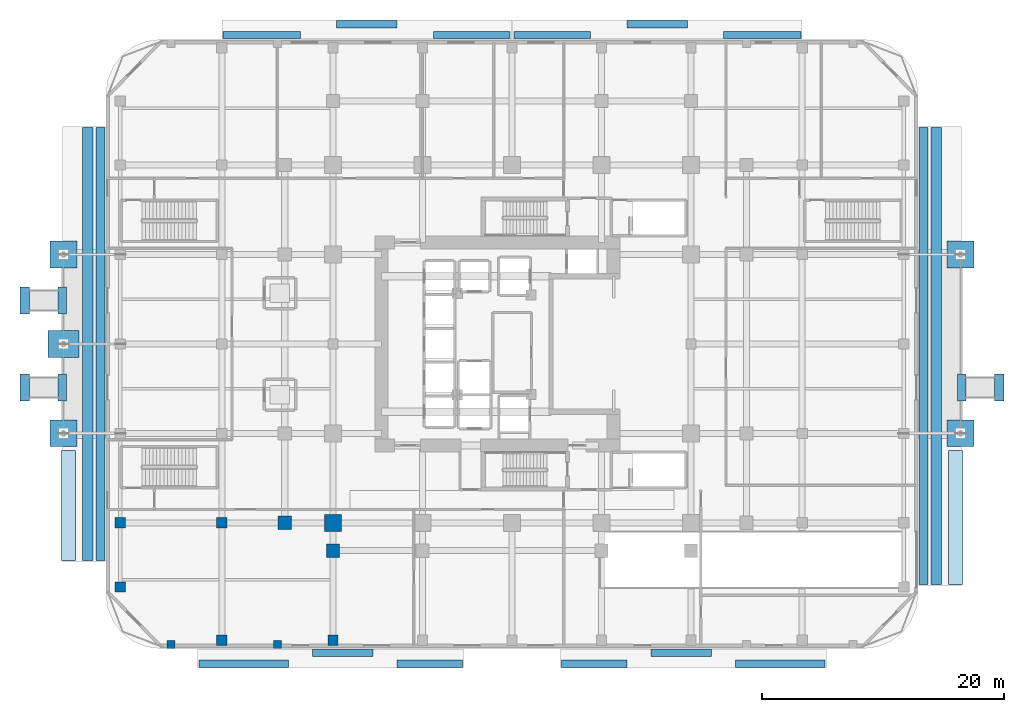
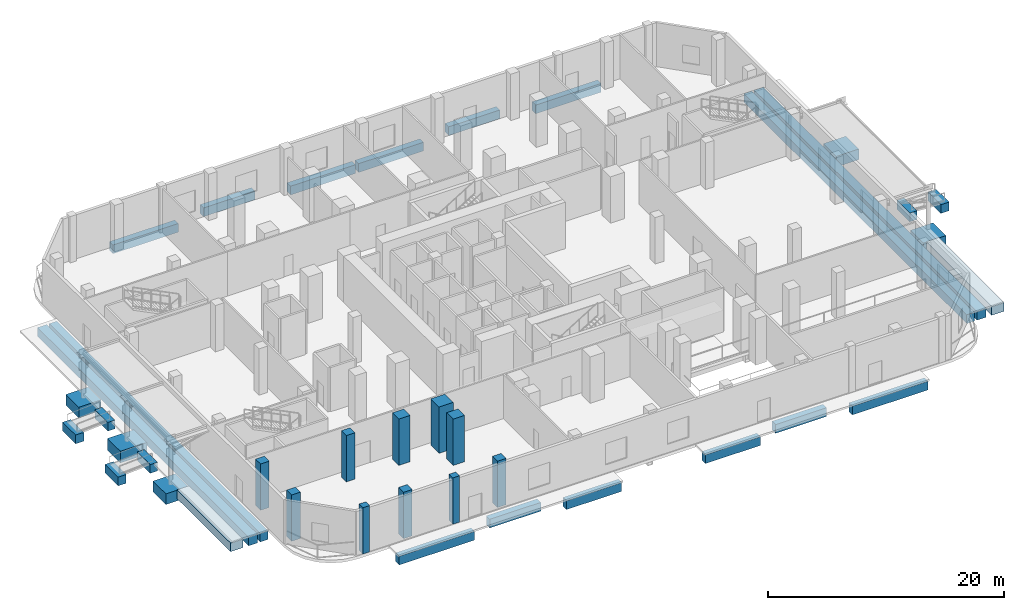
# One storey, part 1 of 24: 29 footings, 10 columns.
"""IFC4 building model written with IfcOpenShell, lengths in metres."""

from ifc_helpers import new_model, si_unit, direction, frame, origin, origin_2d, place, context, subcontext, project, spatial, polyline, rectangle, outline, extrude, material, layer, layer_set, material_profile, profile_set, type_object, element, save


model = new_model("IFC4")

# Units and contexts
model_context = context("Model", 3, precision=1e-05, world=origin(), true_north=direction((0.0, 1.0)))
body_context = subcontext(model_context, "Body", "Model", "MODEL_VIEW")
ifc_project = project(units=[si_unit("LENGTHUNIT", "METRE"), si_unit("AREAUNIT", "SQUARE_METRE"), si_unit("VOLUMEUNIT", "CUBIC_METRE"), si_unit("PLANEANGLEUNIT", "RADIAN"), si_unit("MASSUNIT", "GRAM", prefix="KILO")], contexts=[model_context])

# Site, building, storey
site_placement = place(None, origin())
site = spatial("IfcSite", under=ifc_project, at=site_placement, CompositionType="ELEMENT")
building_placement = place(site_placement, origin())
building = spatial("IfcBuilding", under=site, at=building_placement, Name="Khorvyn Point Tower", CompositionType="ELEMENT")
storey_placement = place(building_placement, origin())
storey = spatial("IfcBuildingStorey", under=building, at=storey_placement, Name="L01", CompositionType="ELEMENT", Elevation=0.0)

# Footings
ifc_material_1 = material(Name="Concrete C35/45", Category="concrete")
ifc_layer_1 = layer(ifc_material_1, 1.10009765625)
ifc_layer_set_1 = layer_set([ifc_layer_1], Name="Concrete C35/45 Canopy Pad Footing 2200x2200x1100")
footing_type_1 = type_object("IfcFootingType", Name="Concrete C35/45 Canopy Pad Footing 2200x2200x1100", PredefinedType="PAD_FOOTING", material=ifc_layer_set_1)
for number, where, z_axis, x_axis, name in (
    (1, (-37.10009765625, -7.39990234375, -1.60009765625), (0.0, 0.0, 1.0), (1.0, 0.0, 0.0), "L01 Entrance Canopy Pad Footing FT-PAD-W1"),
    (2, (-37.10009765625, 7.39990234375, -1.60009765625), (0.0, 0.0, 1.0), (1.0, 0.0, 0.0), "L01 Entrance Canopy Pad Footing FT-PAD-W3"),
    (3, (37.10009765625, -7.39990234375, -1.60009765625), (0.0, 0.0, 1.0), (1.0, 0.0, 0.0), "L01 Entrance Canopy Pad Footing FT-PAD-E1"),
    (4, (37.10009765625, 7.39990234375, -1.60009765625), (0.0, 0.0, 1.0), (1.0, 0.0, 0.0), "L01 Entrance Canopy Pad Footing FT-PAD-E2"),
):
    element("IfcFooting", number, at=place(storey_placement, frame(where, z_axis=z_axis, x_axis=x_axis)), inside=storey, type_object=footing_type_1, Name=name, PredefinedType="PAD_FOOTING", context=body_context, shape_type="SweptSolid", body=[
        extrude(rectangle(XDim=2.199951171875, YDim=2.199951171875, at=origin_2d()), origin(), (0.0, 0.0, 1.0), 1.10009765625),
    ])
ifc_layer_2 = layer(ifc_material_1, 1.199951171875)
ifc_layer_set_2 = layer_set([ifc_layer_2], Name="Concrete C35/45 Canopy Pad Footing 2600x2200x1200")
footing_type_2 = type_object("IfcFootingType", Name="Concrete C35/45 Canopy Pad Footing 2600x2200x1200", PredefinedType="PAD_FOOTING", material=ifc_layer_set_2)
footing_1_placement = place(storey_placement, frame((-37.10009765625, 0.0, -1.7001953125), z_axis=(0.0, 0.0, 1.0), x_axis=(1.0, 0.0, 0.0)))
element("IfcFooting", 5, at=footing_1_placement, inside=storey, type_object=footing_type_2, Name="L01 Entrance Canopy Pad Footing FT-PAD-W2", PredefinedType="PAD_FOOTING", context=body_context, shape_type="SweptSolid", body=[
    extrude(rectangle(XDim=2.60009765625, YDim=2.199951171875, at=origin_2d()), origin(), (0.0, 0.0, 1.0), 1.199951171875),
])
ifc_layer_3 = layer(ifc_material_1, 0.89990234375)
ifc_layer_set_3 = layer_set([ifc_layer_3], Name="Concrete C35/45 Forecourt Strip Footing 900")
footing_type_3 = type_object("IfcFootingType", Name="Concrete C35/45 Forecourt Strip Footing 900", PredefinedType="STRIP_FOOTING", material=ifc_layer_set_3)
footing_2_placement = place(storey_placement, frame((0.0, 0.0, -1.10009765625)))
element("IfcFooting", 6, at=footing_2_placement, inside=storey, type_object=footing_type_3, Name="L01 Forecourt and Ramp Strip Footing FT-STR-PVW-1", PredefinedType="STRIP_FOOTING", context=body_context, shape_type="SweptSolid", body=[
    extrude(outline(polyline([(-37.300048828125, -17.89990234375), (-36.10009765625, -17.89990234375), (-36.10009765625, -8.800048828125), (-37.300048828125, -8.800048828125), (-37.300048828125, -17.89990234375)])), origin(), (0.0, 0.0, 1.0), 0.900146484375),
])
footing_3_placement = place(storey_placement, frame((0.0, 0.0, -1.10009765625)))
element("IfcFooting", 7, at=footing_3_placement, inside=storey, type_object=footing_type_3, Name="L01 Forecourt and Ramp Strip Footing FT-STR-PVW-2", PredefinedType="STRIP_FOOTING", context=body_context, shape_type="SweptSolid", body=[
    extrude(outline(polyline([(-35.550048828125, -17.89990234375), (-34.64990234375, -17.89990234375), (-34.64990234375, 17.89990234375), (-35.550048828125, 17.89990234375), (-35.550048828125, -17.89990234375)])), origin(), (0.0, 0.0, 1.0), 0.900146484375),
])
footing_4_placement = place(storey_placement, frame((0.0, 0.0, -1.10009765625)))
element("IfcFooting", 8, at=footing_4_placement, inside=storey, type_object=footing_type_3, Name="L01 Forecourt and Ramp Strip Footing FT-STR-PVW-3", PredefinedType="STRIP_FOOTING", context=body_context, shape_type="SweptSolid", body=[
    extrude(outline(polyline([(-34.39990234375, -17.89990234375), (-33.64990234375, -17.89990234375), (-33.64990234375, 17.89990234375), (-34.39990234375, 17.89990234375), (-34.39990234375, -17.89990234375)])), origin(), (0.0, 0.0, 1.0), 0.900146484375),
])
footing_5_placement = place(storey_placement, frame((0.0, 0.0, -1.10009765625)))
element("IfcFooting", 9, at=footing_5_placement, inside=storey, type_object=footing_type_3, Name="L01 Forecourt and Ramp Strip Footing FT-STR-PVE-1", PredefinedType="STRIP_FOOTING", context=body_context, shape_type="SweptSolid", body=[
    extrude(outline(polyline([(33.64990234375, -19.89990234375), (34.39990234375, -19.89990234375), (34.39990234375, 17.89990234375), (33.64990234375, 17.89990234375), (33.64990234375, -19.89990234375)])), origin(), (0.0, 0.0, 1.0), 0.900146484375),
])
footing_6_placement = place(storey_placement, frame((0.0, 0.0, -1.10009765625)))
element("IfcFooting", 10, at=footing_6_placement, inside=storey, type_object=footing_type_3, Name="L01 Forecourt and Ramp Strip Footing FT-STR-PVE-2", PredefinedType="STRIP_FOOTING", context=body_context, shape_type="SweptSolid", body=[
    extrude(outline(polyline([(34.64990234375, -19.89990234375), (35.550048828125, -19.89990234375), (35.550048828125, 17.89990234375), (34.64990234375, 17.89990234375), (34.64990234375, -19.89990234375)])), origin(), (0.0, 0.0, 1.0), 0.900146484375),
])
footing_7_placement = place(storey_placement, frame((0.0, 0.0, -1.10009765625)))
element("IfcFooting", 11, at=footing_7_placement, inside=storey, type_object=footing_type_3, Name="L01 Forecourt and Ramp Strip Footing FT-STR-PVE-3", PredefinedType="STRIP_FOOTING", context=body_context, shape_type="SweptSolid", body=[
    extrude(outline(polyline([(36.10009765625, -19.89990234375), (37.300048828125, -19.89990234375), (37.300048828125, -8.800048828125), (36.10009765625, -8.800048828125), (36.10009765625, -19.89990234375)])), origin(), (0.0, 0.0, 1.0), 0.900146484375),
])
footing_8_placement = place(storey_placement, frame((0.0, 0.0, -1.10009765625)))
element("IfcFooting", 12, at=footing_8_placement, inside=storey, type_object=footing_type_3, Name="L01 Forecourt and Ramp Strip Footing FT-STR-PVS1-A", PredefinedType="STRIP_FOOTING", context=body_context, shape_type="SweptSolid", body=[
    extrude(outline(polyline([(-25.89990234375, -26.75), (-18.5, -26.75), (-18.5, -26.14990234375), (-25.89990234375, -26.14990234375), (-25.89990234375, -26.75)])), origin(), (0.0, 0.0, 1.0), 0.900146484375),
])
footing_9_placement = place(storey_placement, frame((0.0, 0.0, -1.10009765625)))
element("IfcFooting", 13, at=footing_9_placement, inside=storey, type_object=footing_type_3, Name="L01 Forecourt and Ramp Strip Footing FT-STR-PVS1-B", PredefinedType="STRIP_FOOTING", context=body_context, shape_type="SweptSolid", body=[
    extrude(outline(polyline([(-16.5, -25.85009765625), (-11.5, -25.85009765625), (-11.5, -25.25), (-16.5, -25.25), (-16.5, -25.85009765625)])), origin(), (0.0, 0.0, 1.0), 0.900146484375),
])
footing_10_placement = place(storey_placement, frame((0.0, 0.0, -1.10009765625)))
element("IfcFooting", 14, at=footing_10_placement, inside=storey, type_object=footing_type_3, Name="L01 Forecourt and Ramp Strip Footing FT-STR-PVS1-C", PredefinedType="STRIP_FOOTING", context=body_context, shape_type="SweptSolid", body=[
    extrude(outline(polyline([(-9.5, -26.75), (-4.10009765625, -26.75), (-4.10009765625, -26.14990234375), (-9.5, -26.14990234375), (-9.5, -26.75)])), origin(), (0.0, 0.0, 1.0), 0.900146484375),
])
footing_11_placement = place(storey_placement, frame((0.0, 0.0, -1.10009765625)))
element("IfcFooting", 15, at=footing_11_placement, inside=storey, type_object=footing_type_3, Name="L01 Forecourt and Ramp Strip Footing FT-STR-PVS2-A", PredefinedType="STRIP_FOOTING", context=body_context, shape_type="SweptSolid", body=[
    extrude(outline(polyline([(4.10009765625, -26.75), (9.5, -26.75), (9.5, -26.14990234375), (4.10009765625, -26.14990234375), (4.10009765625, -26.75)])), origin(), (0.0, 0.0, 1.0), 0.900146484375),
])
footing_12_placement = place(storey_placement, frame((0.0, 0.0, -1.10009765625)))
element("IfcFooting", 16, at=footing_12_placement, inside=storey, type_object=footing_type_3, Name="L01 Forecourt and Ramp Strip Footing FT-STR-PVS2-B", PredefinedType="STRIP_FOOTING", context=body_context, shape_type="SweptSolid", body=[
    extrude(outline(polyline([(11.5, -25.85009765625), (16.5, -25.85009765625), (16.5, -25.25), (11.5, -25.25), (11.5, -25.85009765625)])), origin(), (0.0, 0.0, 1.0), 0.900146484375),
])
footing_13_placement = place(storey_placement, frame((0.0, 0.0, -1.10009765625)))
element("IfcFooting", 17, at=footing_13_placement, inside=storey, type_object=footing_type_3, Name="L01 Forecourt and Ramp Strip Footing FT-STR-PVS2-C", PredefinedType="STRIP_FOOTING", context=body_context, shape_type="SweptSolid", body=[
    extrude(outline(polyline([(18.5, -26.75), (25.89990234375, -26.75), (25.89990234375, -26.14990234375), (18.5, -26.14990234375), (18.5, -26.75)])), origin(), (0.0, 0.0, 1.0), 0.900146484375),
])
footing_14_placement = place(storey_placement, frame((0.0, 0.0, -1.10009765625)))
element("IfcFooting", 18, at=footing_14_placement, inside=storey, type_object=footing_type_3, Name="L01 Forecourt and Ramp Strip Footing FT-STR-PVN1-A", PredefinedType="STRIP_FOOTING", context=body_context, shape_type="SweptSolid", body=[
    extrude(outline(polyline([(-23.89990234375, 25.25), (-17.5, 25.25), (-17.5, 25.85009765625), (-23.89990234375, 25.85009765625), (-23.89990234375, 25.25)])), origin(), (0.0, 0.0, 1.0), 0.900146484375),
])
footing_15_placement = place(storey_placement, frame((0.0, 0.0, -1.10009765625)))
element("IfcFooting", 19, at=footing_15_placement, inside=storey, type_object=footing_type_3, Name="L01 Forecourt and Ramp Strip Footing FT-STR-PVN1-B", PredefinedType="STRIP_FOOTING", context=body_context, shape_type="SweptSolid", body=[
    extrude(outline(polyline([(-14.5, 26.14990234375), (-9.5, 26.14990234375), (-9.5, 26.75), (-14.5, 26.75), (-14.5, 26.14990234375)])), origin(), (0.0, 0.0, 1.0), 0.900146484375),
])
footing_16_placement = place(storey_placement, frame((0.0, 0.0, -1.10009765625)))
element("IfcFooting", 20, at=footing_16_placement, inside=storey, type_object=footing_type_3, Name="L01 Forecourt and Ramp Strip Footing FT-STR-PVN1-C", PredefinedType="STRIP_FOOTING", context=body_context, shape_type="SweptSolid", body=[
    extrude(outline(polyline([(-6.5, 25.25), (-0.14990234375, 25.25), (-0.14990234375, 25.85009765625), (-6.5, 25.85009765625), (-6.5, 25.25)])), origin(), (0.0, 0.0, 1.0), 0.900146484375),
])
footing_17_placement = place(storey_placement, frame((0.0, 0.0, -1.10009765625)))
element("IfcFooting", 21, at=footing_17_placement, inside=storey, type_object=footing_type_3, Name="L01 Forecourt and Ramp Strip Footing FT-STR-PVN2-A", PredefinedType="STRIP_FOOTING", context=body_context, shape_type="SweptSolid", body=[
    extrude(outline(polyline([(0.14990234375, 25.25), (6.5, 25.25), (6.5, 25.85009765625), (0.14990234375, 25.85009765625), (0.14990234375, 25.25)])), origin(), (0.0, 0.0, 1.0), 0.900146484375),
])
footing_18_placement = place(storey_placement, frame((0.0, 0.0, -1.10009765625)))
element("IfcFooting", 22, at=footing_18_placement, inside=storey, type_object=footing_type_3, Name="L01 Forecourt and Ramp Strip Footing FT-STR-PVN2-B", PredefinedType="STRIP_FOOTING", context=body_context, shape_type="SweptSolid", body=[
    extrude(outline(polyline([(9.5, 26.14990234375), (14.5, 26.14990234375), (14.5, 26.75), (9.5, 26.75), (9.5, 26.14990234375)])), origin(), (0.0, 0.0, 1.0), 0.900146484375),
])
footing_19_placement = place(storey_placement, frame((0.0, 0.0, -1.10009765625)))
element("IfcFooting", 23, at=footing_19_placement, inside=storey, type_object=footing_type_3, Name="L01 Forecourt and Ramp Strip Footing FT-STR-PVN2-C", PredefinedType="STRIP_FOOTING", context=body_context, shape_type="SweptSolid", body=[
    extrude(outline(polyline([(17.5, 25.25), (23.89990234375, 25.25), (23.89990234375, 25.85009765625), (17.5, 25.85009765625), (17.5, 25.25)])), origin(), (0.0, 0.0, 1.0), 0.900146484375),
])
footing_20_placement = place(storey_placement, frame((0.0, 0.0, -1.10009765625)))
element("IfcFooting", 24, at=footing_20_placement, inside=storey, type_object=footing_type_3, Name="L01 Accessible Ramp Strip Footing FT-RMP-W1-BOT", PredefinedType="STRIP_FOOTING", context=body_context, shape_type="SweptSolid", body=[
    extrude(outline(polyline([(-40.699951171875, -4.699951171875), (-39.89990234375, -4.699951171875), (-39.89990234375, -2.5), (-40.699951171875, -2.5), (-40.699951171875, -4.699951171875)])), origin(), (0.0, 0.0, 1.0), 0.900146484375),
])
footing_21_placement = place(storey_placement, frame((0.0, 0.0, -0.89990234375)))
element("IfcFooting", 25, at=footing_21_placement, inside=storey, type_object=footing_type_3, Name="L01 Accessible Ramp Strip Footing FT-RMP-W1-TOP", PredefinedType="STRIP_FOOTING", context=body_context, shape_type="SweptSolid", body=[
    extrude(outline(polyline([(-37.550048828125, -4.699951171875), (-36.85009765625, -4.699951171875), (-36.85009765625, -2.5), (-37.550048828125, -2.5), (-37.550048828125, -4.699951171875)])), origin(), (0.0, 0.0, 1.0), 0.89990234375),
])
footing_22_placement = place(storey_placement, frame((0.0, 0.0, -1.10009765625)))
element("IfcFooting", 26, at=footing_22_placement, inside=storey, type_object=footing_type_3, Name="L01 Accessible Ramp Strip Footing FT-RMP-W2-BOT", PredefinedType="STRIP_FOOTING", context=body_context, shape_type="SweptSolid", body=[
    extrude(outline(polyline([(-40.699951171875, 2.5), (-39.89990234375, 2.5), (-39.89990234375, 4.699951171875), (-40.699951171875, 4.699951171875), (-40.699951171875, 2.5)])), origin(), (0.0, 0.0, 1.0), 0.900146484375),
])
footing_23_placement = place(storey_placement, frame((0.0, 0.0, -0.89990234375)))
element("IfcFooting", 27, at=footing_23_placement, inside=storey, type_object=footing_type_3, Name="L01 Accessible Ramp Strip Footing FT-RMP-W2-TOP", PredefinedType="STRIP_FOOTING", context=body_context, shape_type="SweptSolid", body=[
    extrude(outline(polyline([(-37.550048828125, 2.5), (-36.85009765625, 2.5), (-36.85009765625, 4.699951171875), (-37.550048828125, 4.699951171875), (-37.550048828125, 2.5)])), origin(), (0.0, 0.0, 1.0), 0.89990234375),
])
footing_24_placement = place(storey_placement, frame((0.0, 0.0, -1.10009765625)))
element("IfcFooting", 28, at=footing_24_placement, inside=storey, type_object=footing_type_3, Name="L01 Accessible Ramp Strip Footing FT-RMP-E1-BOT", PredefinedType="STRIP_FOOTING", context=body_context, shape_type="SweptSolid", body=[
    extrude(outline(polyline([(39.89990234375, -4.699951171875), (40.699951171875, -4.699951171875), (40.699951171875, -2.5), (39.89990234375, -2.5), (39.89990234375, -4.699951171875)])), origin(), (0.0, 0.0, 1.0), 0.900146484375),
])
footing_25_placement = place(storey_placement, frame((0.0, 0.0, -0.89990234375)))
element("IfcFooting", 29, at=footing_25_placement, inside=storey, type_object=footing_type_3, Name="L01 Accessible Ramp Strip Footing FT-RMP-E1-TOP", PredefinedType="STRIP_FOOTING", context=body_context, shape_type="SweptSolid", body=[
    extrude(outline(polyline([(36.85009765625, -4.699951171875), (37.550048828125, -4.699951171875), (37.550048828125, -2.5), (36.85009765625, -2.5), (36.85009765625, -4.699951171875)])), origin(), (0.0, 0.0, 1.0), 0.89990234375),
])

# Columns
ifc_material_2 = material(Name="Concrete C40/50", Category="concrete")
ifc_material_profile_1 = material_profile(ifc_material_2, rectangle(XDim=0.85009765625, YDim=0.85009765625, at=origin_2d()))
ifc_profile_set_1 = profile_set([ifc_material_profile_1], Name="Concrete C40/50 RC850x850")
column_type_1 = type_object("IfcColumnType", Name="Concrete C40/50 Column RC850x850", PredefinedType="COLUMN", material=ifc_profile_set_1)
for number, where, z_axis, x_axis, name in (
    (30, (-32.39990234375, -14.800048828125, 0.0), (0.0, 0.0, 1.0), (1.0, 0.0, 0.0), "PC-L01--324--148"),
    (31, (-24.0, -24.5, 0.0), (0.0, 0.0, 1.0), (1.0, 0.0, 0.0), "PC-L01--240--245"),
    (32, (-24.0, -14.800048828125, 0.0), (0.0, 0.0, 1.0), (1.0, 0.0, 0.0), "PC-L01--240--148"),
    (33, (-14.800048828125, -24.5, 0.0), (0.0, 0.0, 1.0), (1.0, 0.0, 0.0), "PC-L01--148--245"),
    (34, (-32.39990234375, -20.10009765625, 0.0), (0.0, 0.0, 1.0), (1.0, 0.0, 0.0), "PCR-L01--32--20"),
):
    element("IfcColumn", number, at=place(storey_placement, frame(where, z_axis=z_axis, x_axis=x_axis)), inside=storey, type_object=column_type_1, Name=name, PredefinedType="COLUMN", context=body_context, shape_type="SweptSolid", body=[
        extrude(rectangle(XDim=0.85009765625, YDim=0.85009765625, at=origin_2d()), origin(), (0.0, 0.0, 1.0), 4.800048828125),
    ])
ifc_material_profile_2 = material_profile(ifc_material_2, rectangle(XDim=0.64990234375, YDim=0.64990234375, at=origin_2d()))
ifc_profile_set_2 = profile_set([ifc_material_profile_2], Name="Concrete C40/50 RC650x650")
column_type_2 = type_object("IfcColumnType", Name="Concrete C40/50 Pilaster RC650x650", PredefinedType="PILASTER", material=ifc_profile_set_2)
for number, where, z_axis, x_axis, name in (
    (35, (-28.199951171875, -24.85009765625, 0.0), (0.0, 0.0, 1.0), (1.0, 0.0, 0.0), "L01 Colonnade Pilaster S"),
    (36, (-19.39990234375, -24.85009765625, 0.0), (0.0, 0.0, 1.0), (1.0, 0.0, 0.0), "L01 Colonnade Pilaster S"),
):
    element("IfcColumn", number, at=place(storey_placement, frame(where, z_axis=z_axis, x_axis=x_axis)), inside=storey, type_object=column_type_2, Name=name, PredefinedType="PILASTER", context=body_context, shape_type="SweptSolid", body=[
        extrude(rectangle(XDim=0.64990234375, YDim=0.64990234375, at=origin_2d()), origin(), (0.0, 0.0, 1.0), 4.800048828125),
    ])
ifc_material_3 = material(Name="Concrete C45/55", Category="concrete")
ifc_material_profile_3 = material_profile(ifc_material_3, rectangle(XDim=1.10009765625, YDim=1.10009765625, at=origin_2d()))
ifc_profile_set_3 = profile_set([ifc_material_profile_3], Name="Concrete C45/55 RC1100x1100")
column_type_3 = type_object("IfcColumnType", Name="Concrete C45/55 Column RC1100x1100", PredefinedType="COLUMN", material=ifc_profile_set_3)
for number, where, z_axis, x_axis, name in (
    (37, (-18.800048828125, -14.800048828125, 0.0), (0.0, 0.0, 1.0), (1.0, 0.0, 0.0), "L01 Intermediate Column ICW--14"),
    (38, (-14.800048828125, -17.10009765625, 0.0), (0.0, 0.0, 1.0), (1.0, 0.0, 0.0), "L01 Intermediate Column ICS--14"),
):
    element("IfcColumn", number, at=place(storey_placement, frame(where, z_axis=z_axis, x_axis=x_axis)), inside=storey, type_object=column_type_3, Name=name, PredefinedType="COLUMN", context=body_context, shape_type="SweptSolid", body=[
        extrude(rectangle(XDim=1.10009765625, YDim=1.10009765625, at=origin_2d()), origin(), (0.0, 0.0, 1.0), 4.800048828125),
    ])
ifc_material_4 = material(Name="Concrete C50/60", Category="concrete")
ifc_material_profile_4 = material_profile(ifc_material_4, rectangle(XDim=1.39990234375, YDim=1.39990234375, at=origin_2d()))
ifc_profile_set_4 = profile_set([ifc_material_profile_4], Name="Concrete C50/60 RC1400x1400")
column_type_4 = type_object("IfcColumnType", Name="Concrete C50/60 Column RC1400x1400", PredefinedType="COLUMN", material=ifc_profile_set_4)
column_placement = place(storey_placement, frame((-14.800048828125, -14.800048828125, 0.0), z_axis=(0.0, 0.0, 1.0), x_axis=(1.0, 0.0, 0.0)))
element("IfcColumn", 39, at=column_placement, inside=storey, type_object=column_type_4, Name="L01 Mega-Column MC-01", PredefinedType="COLUMN", context=body_context, shape_type="SweptSolid", body=[
    extrude(rectangle(XDim=1.39990234375, YDim=1.39990234375, at=origin_2d()), origin(), (0.0, 0.0, 1.0), 4.800048828125),
])

save(model, "model.ifc")
